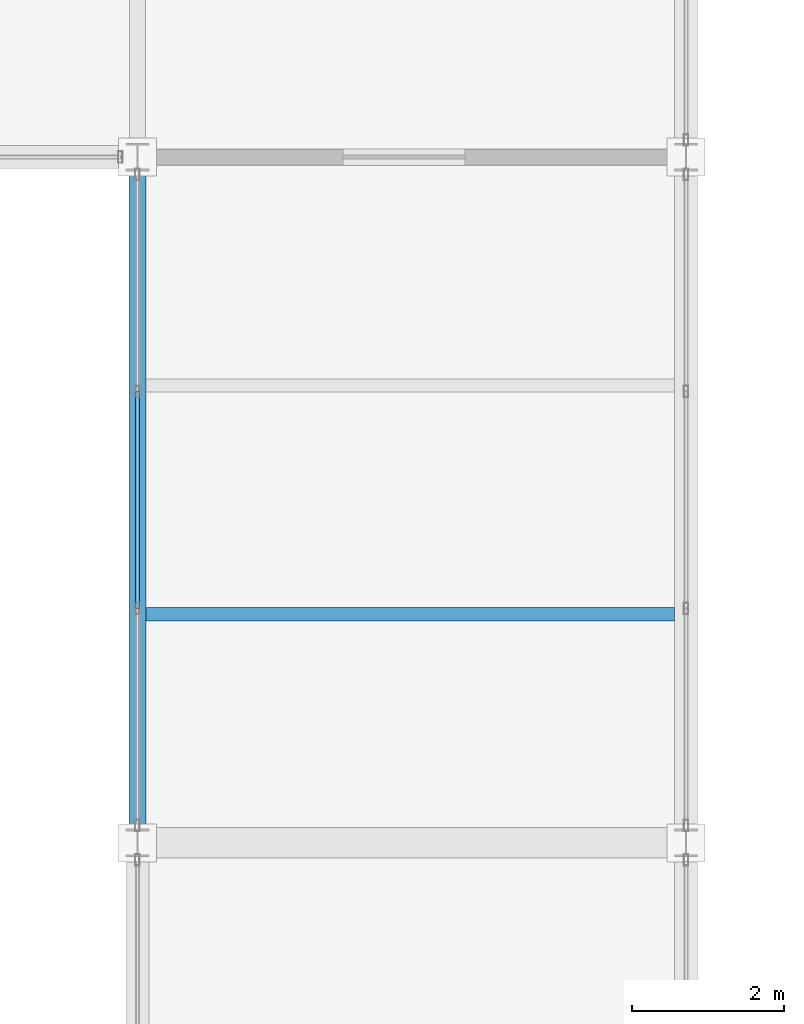
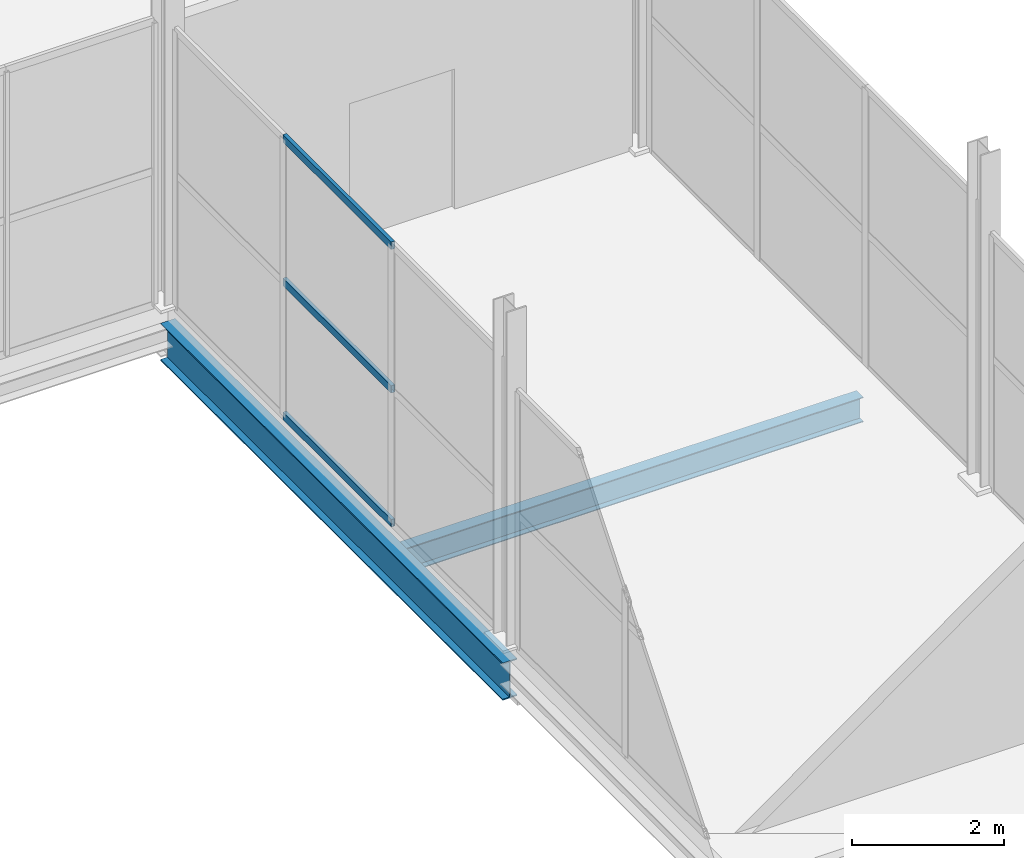
# One storey, part 80 of 141: 3 members, 2 beams, 1 element without a shape of its own.
"""IFC4 building model written with IfcOpenShell, lengths in metres."""

import ifcopenshell
import ifcopenshell.guid

model = None  # the IFC model being written
_history = None  # IfcOwnerHistory: only IFC2X3 demands one
_inside = {}  # id of a spatial element -> (the spatial element, [elements in it])
_under = {}  # id of a project, library or spatial element -> (it, [spatial elements below it])
_declared = {}  # id of a project -> (the project, [libraries it declares])
_typed = {}  # id of a type object -> (the type object, [elements of that type])
_made_of = {}  # id of a material, layer set ... -> (it, [elements and type objects made of it])


def new_model(schema):
    """Start an empty IFC model of exactly this schema.

    Asked for "IFC4X3", IfcOpenShell would pick the latest addendum, in which some entities
    have other attributes; the version numbers below select the first issue.
    IFC2X3 requires an IfcOwnerHistory on every rooted entity: one is made here for all.
    """
    global model, _history
    if schema == "IFC4X3":
        model = ifcopenshell.file(schema_version=(4, 3, 0, 0))
    else:
        model = ifcopenshell.file(schema=schema)
    _inside.clear()
    _under.clear()
    _declared.clear()
    _typed.clear()
    _made_of.clear()
    _history = None
    if model.schema == "IFC2X3":
        org = make("IfcOrganization", Name="unknown")
        user = make(
            "IfcPersonAndOrganization",
            ThePerson=make("IfcPerson", FamilyName="unknown"),
            TheOrganization=org,
        )
        app = make(
            "IfcApplication",
            ApplicationDeveloper=org,
            Version="unknown",
            ApplicationFullName="unknown",
            ApplicationIdentifier="unknown",
        )
        _history = make(
            "IfcOwnerHistory",
            OwningUser=user,
            OwningApplication=app,
            ChangeAction="ADDED",
            CreationDate=0,
        )
    return model


def make(cls, **values):
    """One entity of the class cls with the attributes given. An attribute that is None is left unset."""
    return model.create_entity(
        cls, **{name: value for name, value in values.items() if value is not None}
    )


def rooted(cls, **values):
    """An entity with a GlobalId (a new one), such as an element, a storey or a relation."""
    return make(cls, GlobalId=ifcopenshell.guid.new(), OwnerHistory=_history, **values)


def si_unit(unit_type, name, prefix=None):
    """IfcSIUnit, for example si_unit("LENGTHUNIT", "METRE", prefix="MILLI")."""
    return make("IfcSIUnit", UnitType=unit_type, Prefix=prefix, Name=name)


def assignment(units):
    """IfcUnitAssignment: the units of a project."""
    return None if units is None else make("IfcUnitAssignment", Units=units)


def point(xyz):
    """IfcCartesianPoint."""
    return None if xyz is None else make("IfcCartesianPoint", Coordinates=xyz)


def direction(xyz):
    """IfcDirection."""
    return None if xyz is None else make("IfcDirection", DirectionRatios=xyz)


def frame(location, z_axis=None, x_axis=None):
    """IfcAxis2Placement3D, a coordinate frame: its origin and axes. An axis left out is left unset."""
    return make(
        "IfcAxis2Placement3D",
        Location=point(location),
        Axis=direction(z_axis),
        RefDirection=direction(x_axis),
    )


def frame_2d(location, x_axis=None):
    """IfcAxis2Placement2D, a coordinate frame in the plane: its origin and x axis."""
    return make(
        "IfcAxis2Placement2D", Location=point(location), RefDirection=direction(x_axis)
    )


def origin():
    """The frame at (0, 0, 0) with its axes left unset."""
    return frame((0.0, 0.0, 0.0))


def origin_2d():
    """The frame at (0, 0) in the plane with its x axis left unset."""
    return frame_2d((0.0, 0.0))


def place(relative_to, where):
    """IfcLocalPlacement: puts the frame where relative to a parent placement (None: the world)."""
    return make(
        "IfcLocalPlacement", PlacementRelTo=relative_to, RelativePlacement=where
    )


def context(
    kind, dimensions, precision=None, world=None, true_north=None, identifier=None
):
    """IfcGeometricRepresentationContext, for example the 3D "Model" context."""
    return make(
        "IfcGeometricRepresentationContext",
        ContextIdentifier=identifier,
        ContextType=kind,
        CoordinateSpaceDimension=dimensions,
        Precision=precision,
        WorldCoordinateSystem=world,
        TrueNorth=true_north,
    )


def subcontext(parent, identifier, kind, view, scale=None):
    """IfcGeometricRepresentationSubContext, for example "Body" below "Model"."""
    return make(
        "IfcGeometricRepresentationSubContext",
        ContextIdentifier=identifier,
        ContextType=kind,
        ParentContext=parent,
        TargetScale=scale,
        TargetView=view,
    )


def project(units=None, contexts=None):
    """IfcProject with its units and contexts."""
    return rooted(
        "IfcProject",
        Name="project",
        RepresentationContexts=contexts,
        UnitsInContext=assignment(units),
    )


def spatial(cls, under=None, at=None, **own):
    """A site, building, storey or space (cls), placed at a placement, below another one or the project."""
    s = rooted(cls, ObjectPlacement=at, **own)
    if under is not None:
        _under.setdefault(under.id(), (under, []))[1].append(s)
    return s


def profile(cls, at=None, kind="AREA", **sizes):
    """A parametric profile (cls). Its sizes go by their IFC names, for example OverallWidth=200.0."""
    return make(cls, ProfileType=kind, Position=at, **sizes)


def hollow_rectangle(**sizes):
    """IfcRectangleHollowProfileDef."""
    return profile("IfcRectangleHollowProfileDef", **sizes)


def i_section(**sizes):
    """IfcIShapeProfileDef."""
    return profile("IfcIShapeProfileDef", **sizes)


def extrude(swept, where, along, depth):
    """IfcExtrudedAreaSolid: the profile swept, set in the frame where, extruded along a direction by depth."""
    return make(
        "IfcExtrudedAreaSolid",
        SweptArea=swept,
        Position=where,
        ExtrudedDirection=direction(along),
        Depth=depth,
    )


def shape(context_of_items, identifier, shape_type, items):
    """IfcShapeRepresentation: the items that make up one representation, for example the "Body"."""
    return make(
        "IfcShapeRepresentation",
        ContextOfItems=context_of_items,
        RepresentationIdentifier=identifier,
        RepresentationType=shape_type,
        Items=items,
    )


def material(Name=None, Category=None):
    """IfcMaterial."""
    return make("IfcMaterial", Name=Name, Category=Category)


def layer(
    of_material, thickness, ventilated=None, Name=None, Category=None, Priority=None
):
    """IfcMaterialLayer: one layer of a wall or slab, of a material (None: an air gap)."""
    return make(
        "IfcMaterialLayer",
        Material=of_material,
        LayerThickness=thickness,
        IsVentilated=ventilated,
        Name=Name,
        Category=Category,
        Priority=Priority,
    )


def layer_set(layers, Name=None):
    """IfcMaterialLayerSet."""
    return make("IfcMaterialLayerSet", MaterialLayers=layers, LayerSetName=Name)


def material_profile(
    of_material, cross_section, Name=None, Category=None, Priority=None
):
    """IfcMaterialProfile: a cross section and its material."""
    return make(
        "IfcMaterialProfile",
        Name=Name,
        Material=of_material,
        Profile=cross_section,
        Priority=Priority,
        Category=Category,
    )


def profile_set(profiles, Name=None, composite=None):
    """IfcMaterialProfileSet."""
    return make(
        "IfcMaterialProfileSet",
        Name=Name,
        MaterialProfiles=profiles,
        CompositeProfile=composite,
    )


def made_of(thing, what):
    """Note that an element or type object is made of a material, layer set ...; save() writes the relation."""
    if what is not None:
        _made_of.setdefault(what.id(), (what, []))[1].append(thing)
    return thing


def type_object(cls, material=None, **own):
    """A type object (cls), such as IfcWallType, which elements share."""
    return made_of(rooted(cls, **own), material)


def element(
    cls,
    number,
    at=None,
    inside=None,
    cuts=None,
    type_object=None,
    material=None,
    context=None,
    identifier="Body",
    shape_type=None,
    held_by="IfcProductDefinitionShape",
    body=None,
    shapes=None,
    **own,
):
    """One element of the class cls, such as IfcWall. Its Tag is "e" and its number.

    at: its placement. inside: the storey or other place that contains it. cuts: it is an
    opening in that element (IfcRelVoidsElement). A single representation is given by context,
    identifier, shape_type and body (its items); several are given by shapes. held_by: the class
    of the entity that holds the representations. save() writes the other relations.
    """
    e = rooted(cls, Tag="e%d" % number, ObjectPlacement=at, **own)
    if body is not None:
        shapes = [shape(context, identifier, shape_type, body)]
    if shapes is not None:
        e.Representation = make(held_by, Representations=shapes)
    if inside is not None:
        _inside.setdefault(inside.id(), (inside, []))[1].append(e)
    if cuts is not None:
        rooted(
            "IfcRelVoidsElement", RelatingBuildingElement=cuts, RelatedOpeningElement=e
        )
    if type_object is not None:
        _typed.setdefault(type_object.id(), (type_object, []))[1].append(e)
    return made_of(e, material)


def aggregate(whole, parts):
    """IfcRelAggregates: a whole, such as a stair, and the parts it consists of."""
    return rooted("IfcRelAggregates", RelatingObject=whole, RelatedObjects=parts)


def save(model, path):
    """Write the relations noted so far, then the file.

    IfcRelAggregates (storeys below a building ...), IfcRelContainedInSpatialStructure (elements
    in a storey), IfcRelDefinesByType, IfcRelAssociatesMaterial and IfcRelDeclares: one each for
    every whole, place, type object, material and project.
    """
    for whole, parts in _under.values():
        aggregate(whole, parts)
    for where, things in _inside.values():
        rooted(
            "IfcRelContainedInSpatialStructure",
            RelatedElements=things,
            RelatingStructure=where,
        )
    for kind, things in _typed.values():
        rooted("IfcRelDefinesByType", RelatedObjects=things, RelatingType=kind)
    for what, things in _made_of.values():
        rooted("IfcRelAssociatesMaterial", RelatedObjects=things, RelatingMaterial=what)
    for by, libraries in _declared.values():
        rooted("IfcRelDeclares", RelatingContext=by, RelatedDefinitions=libraries)
    model.write(path)


model = new_model("IFC4")

# Units and contexts
model_context = context("Model", 3, precision=1e-05, world=origin(), true_north=direction((0.0, 1.0)))
body_context = subcontext(model_context, "Body", "Model", "MODEL_VIEW")
ifc_project = project(units=[si_unit("LENGTHUNIT", "METRE"), si_unit("AREAUNIT", "SQUARE_METRE"), si_unit("VOLUMEUNIT", "CUBIC_METRE"), si_unit("PLANEANGLEUNIT", "RADIAN"), si_unit("MASSUNIT", "GRAM", prefix="KILO")], contexts=[model_context])

# Site, building, storey
site_placement = place(None, origin())
site = spatial("IfcSite", under=ifc_project, at=site_placement, CompositionType="ELEMENT")
building_placement = place(site_placement, origin())
building = spatial("IfcBuilding", under=site, at=building_placement, Name="Sundgate Opera House", CompositionType="ELEMENT")
storey_placement = place(building_placement, frame((0.0, 0.0, 11.39990234375)))
storey = spatial("IfcBuildingStorey", under=building, at=storey_placement, Name="L02", CompositionType="ELEMENT", Elevation=11.39990234375)

# Beams
ifc_material_1 = material(Name="Steel S355J2", Category="steel")
ifc_material_profile_1 = material_profile(ifc_material_1, i_section(OverallWidth=0.219970703125, OverallDepth=0.60009765625, WebThickness=0.011962890625, FlangeThickness=0.01904296875, at=origin_2d()), Name="IPE 600")
ifc_profile_set_1 = profile_set([ifc_material_profile_1], Name="Steel S355J2")
beam_type_1 = type_object("IfcBeamType", Name="BM-GR-IPE600", PredefinedType="BEAM", material=ifc_profile_set_1)
beam_1_placement = place(storey_placement, frame((138.60009765625, 51.0, -0.64990234375), z_axis=(0.0, 1.0, 0.0), x_axis=(-1.0, 0.0, 0.0)))
element("IfcBeam", 1, at=beam_1_placement, inside=storey, type_object=beam_type_1, Name="L02 Primary N-S Girder B1915", PredefinedType="BEAM", context=body_context, shape_type="SweptSolid", body=[
    extrude(i_section(OverallWidth=0.219970703125, OverallDepth=0.60009765625, WebThickness=0.011962890625, FlangeThickness=0.01904296875, at=origin_2d()), origin(), (0.0, 0.0, 1.0), 9.0),
])
ifc_material_2 = material(Name="Steel S355J2", Category="steel")
ifc_material_profile_2 = material_profile(ifc_material_2, i_section(OverallWidth=0.179931640625, OverallDepth=0.39990234375, WebThickness=0.008544921875, FlangeThickness=0.013427734375, at=origin_2d()), Name="IPE 400")
ifc_profile_set_2 = profile_set([ifc_material_profile_2], Name="Steel S355J2")
beam_type_2 = type_object("IfcBeamType", Name="BM-JS-IPE400", PredefinedType="JOIST", material=ifc_profile_set_2)
beam_2_placement = place(storey_placement, frame((138.7099609375, 54.0, -0.5498046875), z_axis=(1.0, 0.0, 0.0), x_axis=(0.0, 1.0, 0.0)))
element("IfcBeam", 2, at=beam_2_placement, inside=storey, type_object=beam_type_2, Name="L02 Secondary Floor Joist B2249", PredefinedType="JOIST", context=body_context, shape_type="SweptSolid", body=[
    extrude(i_section(OverallWidth=0.179931640625, OverallDepth=0.39990234375, WebThickness=0.008544921875, FlangeThickness=0.013427734375, at=origin_2d()), origin(), (0.0, 0.0, 1.0), 6.93994140625),
])

# Curtain wall, members
ifc_material_3 = material(Name="Anodized aluminium and low-iron glass", Category="aluminium")
ifc_layer = layer(ifc_material_3, 0.159912109375)
ifc_layer_set = layer_set([ifc_layer], Name="Anodized aluminium and low-iron glass")
curtain_wall_type = type_object("IfcCurtainWallType", Name="CW-STUDIO-DARK", PredefinedType="NOTDEFINED", material=ifc_layer_set)
curtain_wall_placement = place(storey_placement, origin())
curtain_wall = element("IfcCurtainWall", 3, at=curtain_wall_placement, inside=storey, type_object=curtain_wall_type, Name="L02 Curtain Wall CW079", PredefinedType="NOTDEFINED")
ifc_material_4 = material(Name="Anodized aluminium EN AW-6063", Category="aluminium")
ifc_material_profile_3 = material_profile(ifc_material_4, hollow_rectangle(XDim=0.054931640625, YDim=0.1201171875, WallThickness=0.00390625, at=origin_2d()), Name="CWT 120x55x4")
ifc_profile_set_3 = profile_set([ifc_material_profile_3], Name="Anodized aluminium EN AW-6063")
member_type = type_object("IfcMemberType", Name="CWT-ALU-120x55", PredefinedType="USERDEFINED", material=ifc_profile_set_3)
member_1_placement = place(storey_placement, frame((138.60009765625, 56.925048828125, 0.0), z_axis=(0.0, -1.0, 0.0), x_axis=(1.0, 0.0, 0.0)))
member_1 = element("IfcMember", 4, at=member_1_placement, type_object=member_type, Name="CW079 Transom 4", ObjectType="TRANSOM", PredefinedType="USERDEFINED", context=body_context, shape_type="SweptSolid", body=[
    extrude(hollow_rectangle(XDim=0.054931640625, YDim=0.1201171875, WallThickness=0.00390625, at=origin_2d()), origin(), (0.0, 0.0, 1.0), 2.85009765625),
])
member_2_placement = place(storey_placement, frame((138.60009765625, 56.925048828125, 2.150146484375), z_axis=(0.0, -1.0, 0.0), x_axis=(1.0, 0.0, 0.0)))
member_2 = element("IfcMember", 5, at=member_2_placement, type_object=member_type, Name="CW079 Transom 5", ObjectType="TRANSOM", PredefinedType="USERDEFINED", context=body_context, shape_type="SweptSolid", body=[
    extrude(hollow_rectangle(XDim=0.054931640625, YDim=0.1201171875, WallThickness=0.00390625, at=origin_2d()), origin(), (0.0, 0.0, 1.0), 2.85009765625),
])
member_3_placement = place(storey_placement, frame((138.60009765625, 56.925048828125, 4.455078125), z_axis=(0.0, -1.0, 0.0), x_axis=(1.0, 0.0, 0.0)))
member_3 = element("IfcMember", 6, at=member_3_placement, type_object=member_type, Name="CW079 Transom 6", ObjectType="TRANSOM", PredefinedType="USERDEFINED", context=body_context, shape_type="SweptSolid", body=[
    extrude(hollow_rectangle(XDim=0.054931640625, YDim=0.1201171875, WallThickness=0.00390625, at=origin_2d()), origin(), (0.0, 0.0, 1.0), 2.85009765625),
])
aggregate(curtain_wall, [member_1, member_2, member_3])

save(model, "model.ifc")
